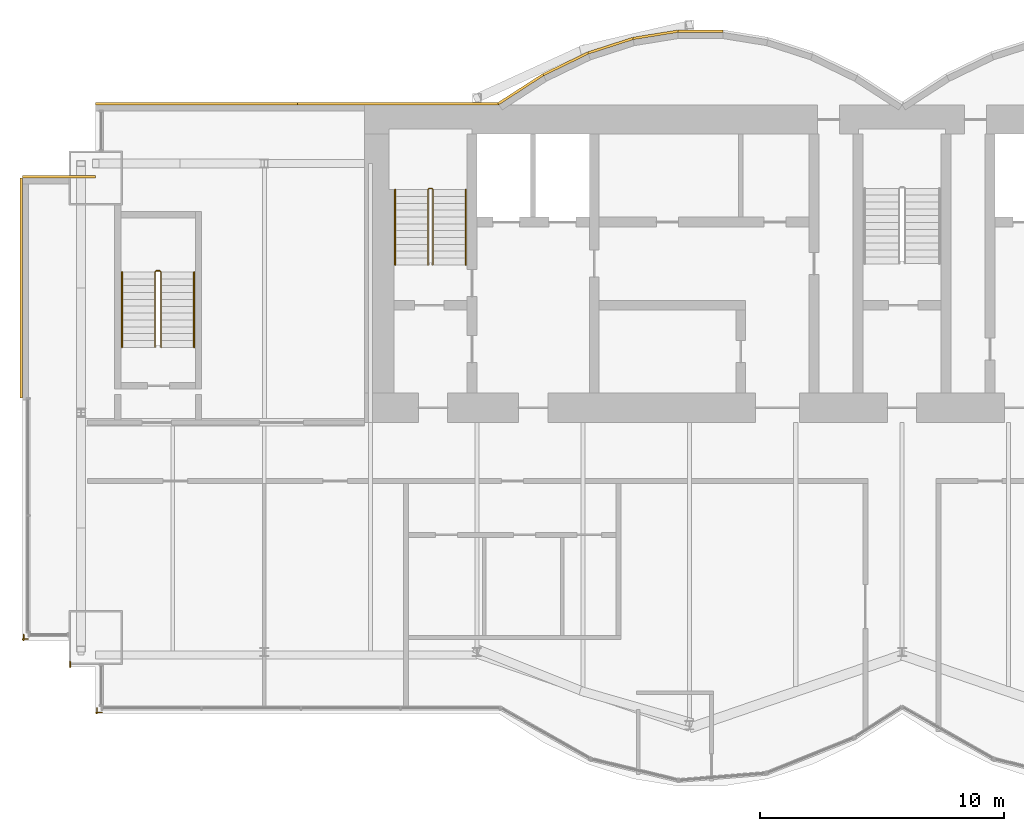
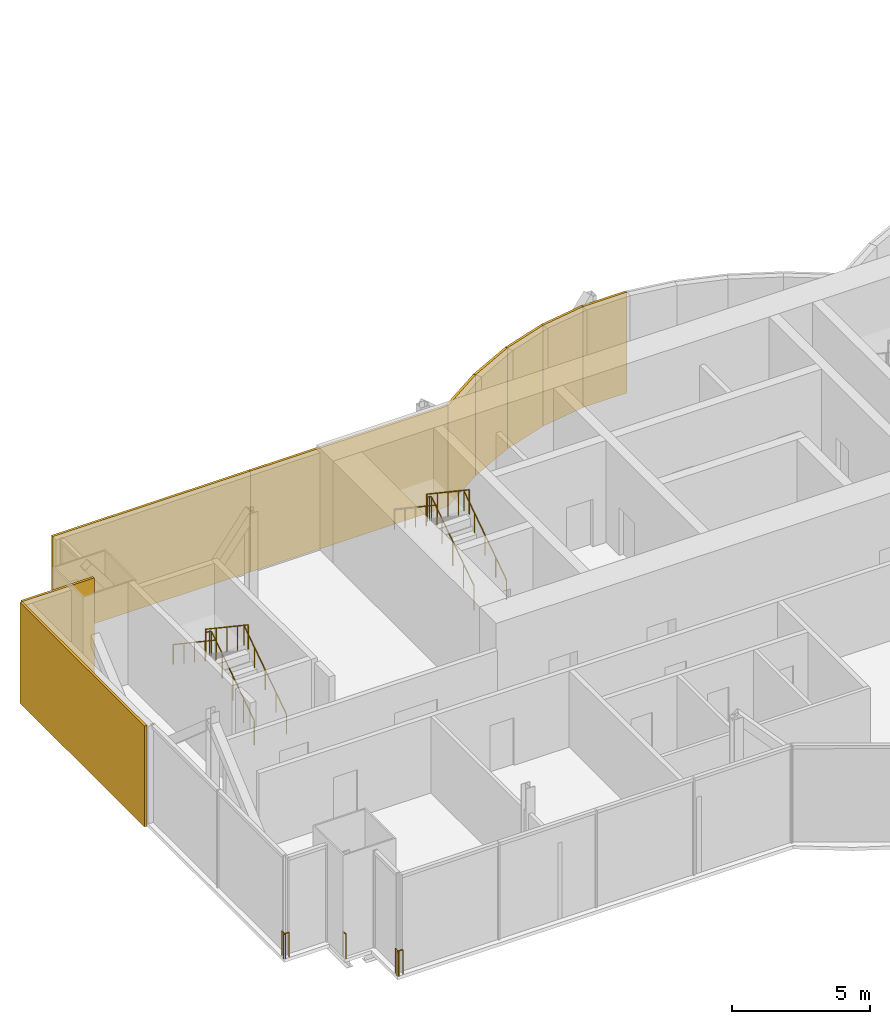
# One storey, part 14 of 16: 9 coverings, 9 railings.
"""IFC4 building model written with IfcOpenShell, lengths in metres."""

from ifc_helpers import new_model, si_unit, direction, frame, origin, origin_2d, place, context, subcontext, project, spatial, rectangle, circle, extrude, material, layer, layer_set, type_object, element, save


model = new_model("IFC4")

# Units and contexts
model_context = context("Model", 3, precision=1e-05, world=origin(), true_north=direction((0.0, 1.0)))
body_context = subcontext(model_context, "Body", "Model", "MODEL_VIEW")
ifc_project = project(units=[si_unit("LENGTHUNIT", "METRE"), si_unit("AREAUNIT", "SQUARE_METRE"), si_unit("VOLUMEUNIT", "CUBIC_METRE"), si_unit("PLANEANGLEUNIT", "RADIAN"), si_unit("MASSUNIT", "GRAM", prefix="KILO")], contexts=[model_context])

# Site, building, storey
site_placement = place(None, origin())
site = spatial("IfcSite", under=ifc_project, at=site_placement, CompositionType="ELEMENT")
building_placement = place(site_placement, origin())
building = spatial("IfcBuilding", under=site, at=building_placement, Name="Bicima Exchange Tower", CompositionType="ELEMENT")
storey_placement = place(building_placement, frame((0.0, 0.0, 338.0)))
storey = spatial("IfcBuildingStorey", under=building, at=storey_placement, Name="L76", CompositionType="ELEMENT", Elevation=338.0)

# Coverings
ifc_material_1 = material(Name="Bronze metal cladding")
ifc_layer_1 = layer(ifc_material_1, 0.004)
ifc_material_2 = material(Name="Ventilated cavity")
ifc_layer_2 = layer(ifc_material_2, 0.06)
ifc_material_3 = material(Name="Galvanised steel rail and mineral wool", Category="steel")
ifc_layer_3 = layer(ifc_material_3, 0.036)
ifc_layer_set = layer_set([ifc_layer_1, ifc_layer_2, ifc_layer_3], Name="Ventilated cavity")
covering_type = type_object("IfcCoveringType", Name="Bronze metal cladding panel 100", PredefinedType="CLADDING", material=ifc_layer_set)
covering_1_placement = place(storey_placement, frame((-8.25, 3.012939453125, -0.14990234375), z_axis=(0.0, 0.0, 1.0), x_axis=(-1.0, 0.0, 0.0)))
element("IfcCovering", 1, at=covering_1_placement, inside=storey, type_object=covering_type, Name="Bronze cladding L76 15.1", PredefinedType="CLADDING", context=body_context, shape_type="SweptSolid", body=[
    extrude(rectangle(XDim=1.83349609375, YDim=0.10009765625, at=origin_2d()), origin(), (0.0, 0.0, 1.0), 4.449951171875),
])
covering_2_placement = place(storey_placement, frame((-10.09130859375, 2.8642578125, -0.14990234375), z_axis=(0.0, 0.0, 1.0), x_axis=(-0.987189786347, -0.159550386184, 0.0)))
element("IfcCovering", 2, at=covering_2_placement, inside=storey, type_object=covering_type, Name="Bronze cladding L76 16.1", PredefinedType="CLADDING", context=body_context, shape_type="SweptSolid", body=[
    extrude(rectangle(XDim=1.857177734375, YDim=0.10009765625, at=origin_2d()), origin(), (0.0, 0.0, 1.0), 4.449951171875),
])
covering_3_placement = place(storey_placement, frame((-11.931884765625, 2.41796875, -0.14990234375), z_axis=(0.0, 0.0, 1.0), x_axis=(-0.951524642381, -0.307572519808, 0.0)))
element("IfcCovering", 3, at=covering_3_placement, inside=storey, type_object=covering_type, Name="Bronze cladding L76 17.1", PredefinedType="CLADDING", context=body_context, shape_type="SweptSolid", body=[
    extrude(rectangle(XDim=1.9267578125, YDim=0.10009765625, at=origin_2d()), origin(), (0.0, 0.0, 1.0), 4.449951171875),
])
covering_4_placement = place(storey_placement, frame((-13.771728515625, 1.674560546875, -0.14990234375), z_axis=(0.0, 0.0, 1.0), x_axis=(-0.899818346812, -0.436264762204, 0.0)))
element("IfcCovering", 4, at=covering_4_placement, inside=storey, type_object=covering_type, Name="Bronze cladding L76 18.1", PredefinedType="CLADDING", context=body_context, shape_type="SweptSolid", body=[
    extrude(rectangle(XDim=2.03759765625, YDim=0.10009765625, at=origin_2d()), origin(), (0.0, 0.0, 1.0), 4.449951171875),
])
covering_5_placement = place(storey_placement, frame((-15.610595703125, 0.634521484375, -0.14990234375), z_axis=(0.0, 0.0, 1.0), x_axis=(-0.839790466384, -0.542910648791, 0.0)))
element("IfcCovering", 5, at=covering_5_placement, inside=storey, type_object=covering_type, Name="Bronze cladding L76 19.1", PredefinedType="CLADDING", context=body_context, shape_type="SweptSolid", body=[
    extrude(rectangle(XDim=2.18310546875, YDim=0.10009765625, at=origin_2d()), origin(), (0.0, 0.0, 1.0), 4.449951171875),
])
for number, where, z_axis, x_axis, name in (
    (6, (-20.625, 0.050048828125, -0.14990234375), (0.0, 0.0, 1.0), (-1.0, 0.0, 0.0), "Bronze cladding L76 20.1"),
    (7, (-28.875, 0.050048828125, -0.14990234375), (0.0, 0.0, 1.0), (-1.0, 0.0, 0.0), "Bronze cladding L76 20.2"),
):
    element("IfcCovering", number, at=place(storey_placement, frame(where, z_axis=z_axis, x_axis=x_axis)), inside=storey, type_object=covering_type, Name=name, PredefinedType="CLADDING", context=body_context, shape_type="SweptSolid", body=[
        extrude(rectangle(XDim=8.25, YDim=0.10009765625, at=origin_2d()), origin(), (0.0, 0.0, 1.0), 4.449951171875),
    ])
covering_6_placement = place(storey_placement, frame((-34.5, -2.949951171875, -0.14990234375), z_axis=(0.0, 0.0, 1.0), x_axis=(-1.0, 0.0, 0.0)))
element("IfcCovering", 8, at=covering_6_placement, inside=storey, type_object=covering_type, Name="Bronze cladding L76 22.1", PredefinedType="CLADDING", context=body_context, shape_type="SweptSolid", body=[
    extrude(rectangle(XDim=3.0, YDim=0.10009765625, at=origin_2d()), origin(), (0.0, 0.0, 1.0), 4.449951171875),
])
covering_7_placement = place(storey_placement, frame((-36.050048828125, -7.5, -0.14990234375), z_axis=(0.0, 0.0, 1.0), x_axis=(0.0, -1.0, 0.0)))
element("IfcCovering", 9, at=covering_7_placement, inside=storey, type_object=covering_type, Name="Bronze cladding L76 23.1", PredefinedType="CLADDING", context=body_context, shape_type="SweptSolid", body=[
    extrude(rectangle(XDim=9.0, YDim=0.10009765625, at=origin_2d()), origin(), (0.0, 0.0, 1.0), 4.449951171875),
])

# Railings
ifc_material_4 = material(Name="Stainless steel and bonded safety glass", Category="steel")
railing_type_1 = type_object("IfcRailingType", Name="Edge guard 1100", PredefinedType="GUARDRAIL", material=ifc_material_4)
railing_1_placement = place(storey_placement, frame((-35.762939453125, -21.8701171875, 0.0)))
element("IfcRailing", 10, at=railing_1_placement, inside=storey, type_object=railing_type_1, Name="Edge guard L76 397", PredefinedType="GUARDRAIL", context=body_context, shape_type="SweptSolid", body=[
    extrude(circle(Radius=0.02392578125, at=origin_2d()), frame((0.0, 0.0, 1.076171875), z_axis=(-1.0, 0.0, 0.0), x_axis=(0.0, -1.0, 0.0)), (0.0, 0.0, 1.0), 0.237060546875),
    extrude(circle(Radius=0.02392578125, at=origin_2d()), frame((-0.237060546875, 0.0, 1.076171875), z_axis=(0.708833529934, -0.705375805398, 0.0), x_axis=(0.705375805398, 0.708833529934, 0.0)), (0.0, 0.0, 1.0), 0.070556640625),
    extrude(circle(Radius=0.02392578125, at=origin_2d()), frame((-0.18701171875, -0.0498046875, 1.076171875), z_axis=(0.0, 1.0, 0.0), x_axis=(-1.0, 0.0, 0.0)), (0.0, 0.0, 1.0), 0.2490234375),
    extrude(circle(Radius=0.02099609375, at=origin_2d()), origin(), (0.0, 0.0, 1.0), 1.052001953125),
    extrude(circle(Radius=0.02099609375, at=origin_2d()), frame((-0.237060546875, 0.0, 0.0)), (0.0, 0.0, 1.0), 1.052001953125),
    extrude(circle(Radius=0.02099609375, at=origin_2d()), frame((-0.18701171875, -0.0498046875, 0.0)), (0.0, 0.0, 1.0), 1.052001953125),
    extrude(circle(Radius=0.02099609375, at=origin_2d()), frame((-0.18701171875, 0.19921875, 0.0)), (0.0, 0.0, 1.0), 1.052001953125),
])
railing_2_placement = place(storey_placement, frame((-32.75, -24.8701171875, 0.0)))
element("IfcRailing", 11, at=railing_2_placement, inside=storey, type_object=railing_type_1, Name="Edge guard L76 401", PredefinedType="GUARDRAIL", context=body_context, shape_type="SweptSolid", body=[
    extrude(circle(Radius=0.02392578125, at=origin_2d()), frame((0.0, 0.0, 1.076171875), z_axis=(-1.0, 0.0, 0.0), x_axis=(0.0, -1.0, 0.0)), (0.0, 0.0, 1.0), 0.25),
    extrude(circle(Radius=0.02392578125, at=origin_2d()), frame((-0.25, 0.0, 1.076171875), z_axis=(0.708833529934, -0.705375805398, 0.0), x_axis=(0.705375805398, 0.708833529934, 0.0)), (0.0, 0.0, 1.0), 0.070556640625),
    extrude(circle(Radius=0.02392578125, at=origin_2d()), frame((-0.199951171875, -0.0498046875, 1.076171875), z_axis=(0.0, 1.0, 0.0), x_axis=(-1.0, 0.0, 0.0)), (0.0, 0.0, 1.0), 0.23681640625),
    extrude(circle(Radius=0.02099609375, at=origin_2d()), origin(), (0.0, 0.0, 1.0), 1.052001953125),
    extrude(circle(Radius=0.02099609375, at=origin_2d()), frame((-0.25, 0.0, 0.0)), (0.0, 0.0, 1.0), 1.052001953125),
    extrude(circle(Radius=0.02099609375, at=origin_2d()), frame((-0.199951171875, -0.0498046875, 0.0)), (0.0, 0.0, 1.0), 1.052001953125),
    extrude(circle(Radius=0.02099609375, at=origin_2d()), frame((-0.199951171875, 0.18701171875, 0.0)), (0.0, 0.0, 1.0), 1.052001953125),
])
railing_3_placement = place(storey_placement, frame((-34.050048828125, -23.02001953125, 0.0)))
element("IfcRailing", 12, at=railing_3_placement, inside=storey, type_object=railing_type_1, Name="Edge guard L76 402", PredefinedType="GUARDRAIL", context=body_context, shape_type="SweptSolid", body=[
    extrude(circle(Radius=0.02392578125, at=origin_2d()), frame((0.0, 0.0, 1.076171875), z_axis=(0.0, 1.0, 0.0), x_axis=(-1.0, 0.0, 0.0)), (0.0, 0.0, 1.0), 0.219970703125),
    extrude(circle(Radius=0.02099609375, at=origin_2d()), origin(), (0.0, 0.0, 1.0), 1.052001953125),
    extrude(circle(Radius=0.02099609375, at=origin_2d()), frame((0.0, 0.219970703125, 0.0)), (0.0, 0.0, 1.0), 1.052001953125),
])
ifc_material_5 = material(Name="Stainless steel", Category="steel")
railing_type_2 = type_object("IfcRailingType", Name="Stair guard 1100", PredefinedType="GUARDRAIL", material=ifc_material_5)
railing_4_placement = place(storey_placement, frame((-19.199951171875, -6.550048828125, 0.1875)))
element("IfcRailing", 13, at=railing_4_placement, inside=storey, type_object=railing_type_2, Name="L76 ST-W stair guard 1", PredefinedType="GUARDRAIL", context=body_context, shape_type="SweptSolid", body=[
    extrude(circle(Radius=0.02392578125, at=origin_2d()), frame((0.0, 0.0, 1.076171875), z_axis=(0.0, 0.830913701846, 0.55640131208), x_axis=(-1.0, 0.0, 0.0)), (0.0, 0.0, 1.0), 3.706787109375),
    extrude(circle(Radius=0.02392578125, at=origin_2d()), frame((0.0, 3.080078125, 3.138671875), z_axis=(-0.707106781187, 0.707106781187, 0.0), x_axis=(-0.707106781187, -0.707106781187, 0.0)), (0.0, 0.0, 1.0), 0.07080078125),
    extrude(circle(Radius=0.02392578125, at=origin_2d()), frame((-0.050048828125, 3.130126953125, 3.138671875), z_axis=(-1.0, 0.0, 0.0), x_axis=(0.0, -1.0, 0.0)), (0.0, 0.0, 1.0), 0.10009765625),
    extrude(circle(Radius=0.02392578125, at=origin_2d()), frame((-0.150146484375, 3.130126953125, 3.138671875), z_axis=(-0.248583702486, -0.249802250048, 0.935844527007), x_axis=(0.708833529934, -0.705375805398, 0.0)), (0.0, 0.0, 1.0), 0.200439453125),
    extrude(circle(Radius=0.02392578125, at=origin_2d()), frame((-0.199951171875, 3.080078125, 3.326171875), z_axis=(0.0, -0.830913701846, 0.55640131208), x_axis=(1.0, 0.0, 0.0)), (0.0, 0.0, 1.0), 3.706787109375),
    extrude(circle(Radius=0.02099609375, at=origin_2d()), origin(), (0.0, 0.0, 1.0), 1.052001953125),
    extrude(circle(Radius=0.02099609375, at=origin_2d()), frame((0.0, 0.77001953125, 0.515625)), (0.0, 0.0, 1.0), 1.052001953125),
    extrude(circle(Radius=0.02099609375, at=origin_2d()), frame((0.0, 1.5400390625, 1.03125)), (0.0, 0.0, 1.0), 1.052001953125),
    extrude(circle(Radius=0.02099609375, at=origin_2d()), frame((0.0, 2.31005859375, 1.546875)), (0.0, 0.0, 1.0), 1.052001953125),
    extrude(circle(Radius=0.02099609375, at=origin_2d()), frame((0.0, 3.080078125, 2.0625)), (0.0, 0.0, 1.0), 1.052001953125),
    extrude(circle(Radius=0.02099609375, at=origin_2d()), frame((-0.050048828125, 3.130126953125, 2.0625)), (0.0, 0.0, 1.0), 1.052001953125),
    extrude(circle(Radius=0.02099609375, at=origin_2d()), frame((-0.150146484375, 3.130126953125, 2.0625)), (0.0, 0.0, 1.0), 1.052001953125),
    extrude(circle(Radius=0.02099609375, at=origin_2d()), frame((-0.199951171875, 3.080078125, 2.25)), (0.0, 0.0, 1.0), 1.052001953125),
    extrude(circle(Radius=0.02099609375, at=origin_2d()), frame((-0.199951171875, 2.31005859375, 2.765625)), (0.0, 0.0, 1.0), 1.052001953125),
    extrude(circle(Radius=0.02099609375, at=origin_2d()), frame((-0.199951171875, 1.5400390625, 3.28125)), (0.0, 0.0, 1.0), 1.052001953125),
    extrude(circle(Radius=0.02099609375, at=origin_2d()), frame((-0.199951171875, 0.77001953125, 3.796875)), (0.0, 0.0, 1.0), 1.052001953125),
    extrude(circle(Radius=0.02099609375, at=origin_2d()), frame((-0.199951171875, 0.0, 4.3125)), (0.0, 0.0, 1.0), 1.052001953125),
])
railing_5_placement = place(storey_placement, frame((-30.324951171875, -9.925048828125, 0.1875)))
element("IfcRailing", 14, at=railing_5_placement, inside=storey, type_object=railing_type_2, Name="L76 ST-WW stair guard 1", PredefinedType="GUARDRAIL", context=body_context, shape_type="SweptSolid", body=[
    extrude(circle(Radius=0.02392578125, at=origin_2d()), frame((0.0, 0.0, 1.076171875), z_axis=(0.0, 0.830913701846, 0.55640131208), x_axis=(-1.0, 0.0, 0.0)), (0.0, 0.0, 1.0), 3.706787109375),
    extrude(circle(Radius=0.02392578125, at=origin_2d()), frame((0.0, 3.080078125, 3.138671875), z_axis=(-0.707106781187, 0.707106781187, 0.0), x_axis=(-0.707106781187, -0.707106781187, 0.0)), (0.0, 0.0, 1.0), 0.07080078125),
    extrude(circle(Radius=0.02392578125, at=origin_2d()), frame((-0.050048828125, 3.130126953125, 3.138671875), z_axis=(-1.0, 0.0, 0.0), x_axis=(0.0, -1.0, 0.0)), (0.0, 0.0, 1.0), 0.14990234375),
    extrude(circle(Radius=0.02392578125, at=origin_2d()), frame((-0.199951171875, 3.130126953125, 3.138671875), z_axis=(-0.249726431254, -0.249726431254, 0.935560483917), x_axis=(0.707106781187, -0.707106781187, 0.0)), (0.0, 0.0, 1.0), 0.200439453125),
    extrude(circle(Radius=0.02392578125, at=origin_2d()), frame((-0.25, 3.080078125, 3.326171875), z_axis=(0.0, -0.830913701846, 0.55640131208), x_axis=(1.0, 0.0, 0.0)), (0.0, 0.0, 1.0), 3.706787109375),
    extrude(circle(Radius=0.02099609375, at=origin_2d()), origin(), (0.0, 0.0, 1.0), 1.052001953125),
    extrude(circle(Radius=0.02099609375, at=origin_2d()), frame((0.0, 0.77001953125, 0.515625)), (0.0, 0.0, 1.0), 1.052001953125),
    extrude(circle(Radius=0.02099609375, at=origin_2d()), frame((0.0, 1.5400390625, 1.03125)), (0.0, 0.0, 1.0), 1.052001953125),
    extrude(circle(Radius=0.02099609375, at=origin_2d()), frame((0.0, 2.31005859375, 1.546875)), (0.0, 0.0, 1.0), 1.052001953125),
    extrude(circle(Radius=0.02099609375, at=origin_2d()), frame((0.0, 3.080078125, 2.0625)), (0.0, 0.0, 1.0), 1.052001953125),
    extrude(circle(Radius=0.02099609375, at=origin_2d()), frame((-0.050048828125, 3.130126953125, 2.0625)), (0.0, 0.0, 1.0), 1.052001953125),
    extrude(circle(Radius=0.02099609375, at=origin_2d()), frame((-0.199951171875, 3.130126953125, 2.0625)), (0.0, 0.0, 1.0), 1.052001953125),
    extrude(circle(Radius=0.02099609375, at=origin_2d()), frame((-0.25, 3.080078125, 2.25)), (0.0, 0.0, 1.0), 1.052001953125),
    extrude(circle(Radius=0.02099609375, at=origin_2d()), frame((-0.25, 2.31005859375, 2.765625)), (0.0, 0.0, 1.0), 1.052001953125),
    extrude(circle(Radius=0.02099609375, at=origin_2d()), frame((-0.25, 1.5400390625, 3.28125)), (0.0, 0.0, 1.0), 1.052001953125),
    extrude(circle(Radius=0.02099609375, at=origin_2d()), frame((-0.25, 0.77001953125, 3.796875)), (0.0, 0.0, 1.0), 1.052001953125),
    extrude(circle(Radius=0.02099609375, at=origin_2d()), frame((-0.25, 0.0, 4.3125)), (0.0, 0.0, 1.0), 1.052001953125),
])
railing_type_3 = type_object("IfcRailingType", Name="Stair handrail 900", PredefinedType="HANDRAIL", material=ifc_material_5)
railing_6_placement = place(storey_placement, frame((-17.85009765625, -6.550048828125, 0.1875)))
element("IfcRailing", 15, at=railing_6_placement, inside=storey, type_object=railing_type_3, Name="L76 ST-W stair handrail 1", PredefinedType="HANDRAIL", context=body_context, shape_type="SweptSolid", body=[
    extrude(circle(Radius=0.02392578125, at=origin_2d()), frame((0.0, 0.0, 0.8759765625), z_axis=(0.0, 0.830913701846, 0.55640131208), x_axis=(-1.0, 0.0, 0.0)), (0.0, 0.0, 1.0), 3.706787109375),
    extrude(circle(Radius=0.02099609375, at=origin_2d()), origin(), (0.0, 0.0, 1.0), 0.851806640625),
    extrude(circle(Radius=0.02099609375, at=origin_2d()), frame((0.0, 0.77001953125, 0.515625)), (0.0, 0.0, 1.0), 0.851806640625),
    extrude(circle(Radius=0.02099609375, at=origin_2d()), frame((0.0, 1.5400390625, 1.03125)), (0.0, 0.0, 1.0), 0.851806640625),
    extrude(circle(Radius=0.02099609375, at=origin_2d()), frame((0.0, 2.31005859375, 1.546875)), (0.0, 0.0, 1.0), 0.851806640625),
    extrude(circle(Radius=0.02099609375, at=origin_2d()), frame((0.0, 3.080078125, 2.0625)), (0.0, 0.0, 1.0), 0.851806640625),
])
railing_7_placement = place(storey_placement, frame((-20.75, -3.469970703125, 2.4375)))
element("IfcRailing", 16, at=railing_7_placement, inside=storey, type_object=railing_type_3, Name="L76 ST-W stair handrail 2", PredefinedType="HANDRAIL", context=body_context, shape_type="SweptSolid", body=[
    extrude(circle(Radius=0.02392578125, at=origin_2d()), frame((0.0, 0.0, 0.8759765625), z_axis=(0.0, -0.830913701846, 0.55640131208), x_axis=(1.0, 0.0, 0.0)), (0.0, 0.0, 1.0), 3.706787109375),
    extrude(circle(Radius=0.02099609375, at=origin_2d()), origin(), (0.0, 0.0, 1.0), 0.851806640625),
    extrude(circle(Radius=0.02099609375, at=origin_2d()), frame((0.0, -0.77001953125, 0.515625)), (0.0, 0.0, 1.0), 0.851806640625),
    extrude(circle(Radius=0.02099609375, at=origin_2d()), frame((0.0, -1.5400390625, 1.03125)), (0.0, 0.0, 1.0), 0.851806640625),
    extrude(circle(Radius=0.02099609375, at=origin_2d()), frame((0.0, -2.31005859375, 1.546875)), (0.0, 0.0, 1.0), 0.851806640625),
    extrude(circle(Radius=0.02099609375, at=origin_2d()), frame((0.0, -3.080078125, 2.0625)), (0.0, 0.0, 1.0), 0.851806640625),
])
railing_8_placement = place(storey_placement, frame((-28.97509765625, -9.925048828125, 0.1875)))
element("IfcRailing", 17, at=railing_8_placement, inside=storey, type_object=railing_type_3, Name="L76 ST-WW stair handrail 1", PredefinedType="HANDRAIL", context=body_context, shape_type="SweptSolid", body=[
    extrude(circle(Radius=0.02392578125, at=origin_2d()), frame((0.0, 0.0, 0.8759765625), z_axis=(0.0, 0.830913701846, 0.55640131208), x_axis=(-1.0, 0.0, 0.0)), (0.0, 0.0, 1.0), 3.706787109375),
    extrude(circle(Radius=0.02099609375, at=origin_2d()), origin(), (0.0, 0.0, 1.0), 0.851806640625),
    extrude(circle(Radius=0.02099609375, at=origin_2d()), frame((0.0, 0.77001953125, 0.515625)), (0.0, 0.0, 1.0), 0.851806640625),
    extrude(circle(Radius=0.02099609375, at=origin_2d()), frame((0.0, 1.5400390625, 1.03125)), (0.0, 0.0, 1.0), 0.851806640625),
    extrude(circle(Radius=0.02099609375, at=origin_2d()), frame((0.0, 2.31005859375, 1.546875)), (0.0, 0.0, 1.0), 0.851806640625),
    extrude(circle(Radius=0.02099609375, at=origin_2d()), frame((0.0, 3.080078125, 2.0625)), (0.0, 0.0, 1.0), 0.851806640625),
])
railing_9_placement = place(storey_placement, frame((-31.925048828125, -6.844970703125, 2.4375)))
element("IfcRailing", 18, at=railing_9_placement, inside=storey, type_object=railing_type_3, Name="L76 ST-WW stair handrail 2", PredefinedType="HANDRAIL", context=body_context, shape_type="SweptSolid", body=[
    extrude(circle(Radius=0.02392578125, at=origin_2d()), frame((0.0, 0.0, 0.8759765625), z_axis=(0.0, -0.830913701846, 0.55640131208), x_axis=(1.0, 0.0, 0.0)), (0.0, 0.0, 1.0), 3.706787109375),
    extrude(circle(Radius=0.02099609375, at=origin_2d()), origin(), (0.0, 0.0, 1.0), 0.851806640625),
    extrude(circle(Radius=0.02099609375, at=origin_2d()), frame((0.0, -0.77001953125, 0.515625)), (0.0, 0.0, 1.0), 0.851806640625),
    extrude(circle(Radius=0.02099609375, at=origin_2d()), frame((0.0, -1.5400390625, 1.03125)), (0.0, 0.0, 1.0), 0.851806640625),
    extrude(circle(Radius=0.02099609375, at=origin_2d()), frame((0.0, -2.31005859375, 1.546875)), (0.0, 0.0, 1.0), 0.851806640625),
    extrude(circle(Radius=0.02099609375, at=origin_2d()), frame((0.0, -3.080078125, 2.0625)), (0.0, 0.0, 1.0), 0.851806640625),
])

save(model, "model.ifc")
